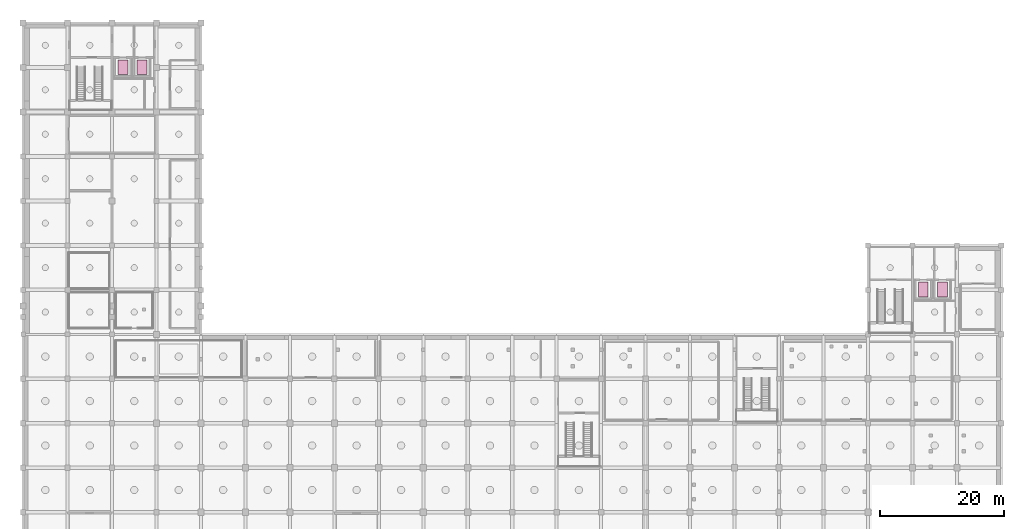
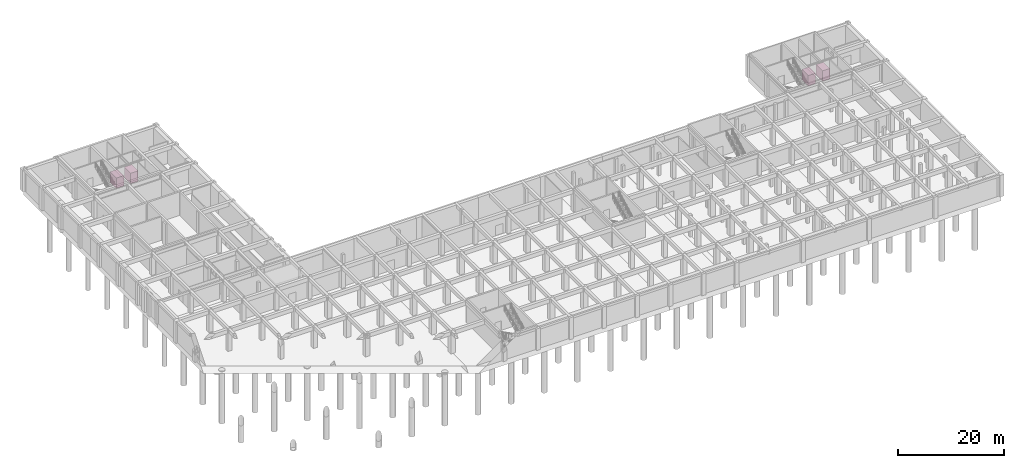
# One storey, part 15 of 15: 4 transport elements.
"""IFC4 building model written with IfcOpenShell, lengths in metres."""

from ifc_helpers import new_model, si_unit, direction, frame, origin, origin_2d, place, context, subcontext, project, spatial, rectangle, extrude, material, type_object, element, save


model = new_model("IFC4")

# Units and contexts
model_context = context("Model", 3, precision=1e-05, world=origin(), true_north=direction((0.0, 1.0)))
body_context = subcontext(model_context, "Body", "Model", "MODEL_VIEW")
ifc_project = project(units=[si_unit("LENGTHUNIT", "METRE"), si_unit("AREAUNIT", "SQUARE_METRE"), si_unit("VOLUMEUNIT", "CUBIC_METRE"), si_unit("PLANEANGLEUNIT", "RADIAN"), si_unit("MASSUNIT", "GRAM", prefix="KILO")], contexts=[model_context])

# Site, building, storey
site_placement = place(None, origin())
site = spatial("IfcSite", under=ifc_project, at=site_placement, CompositionType="ELEMENT")
building_placement = place(site_placement, origin())
building = spatial("IfcBuilding", under=site, at=building_placement, Name="Leyfeld Transit Interchange", CompositionType="ELEMENT")
storey_placement = place(building_placement, frame((0.0, 0.0, -10.800048828125)))
storey = spatial("IfcBuildingStorey", under=building, at=storey_placement, Name="B02", CompositionType="ELEMENT", Elevation=-10.800048828125)

# Transport elements
ifc_material = material(Name="Stainless steel EN 1.4404", Category="steel")
transport_element_type_1 = type_object("IfcTransportElementType", Name="LFT-FFL-1600x2400", PredefinedType="ELEVATOR", material=ifc_material)
for number, where, z_axis, x_axis, name in (
    (1, (16.14990234375, 100.85009765625, 0.0), (0.0, 0.0, 1.0), (1.0, 0.0, 0.0), "Elevator FFL-1"),
    (2, (145.75, 64.85009765625, 0.0), (0.0, 0.0, 1.0), (1.0, 0.0, 0.0), "Elevator FFL-2"),
):
    element("IfcTransportElement", number, at=place(storey_placement, frame(where, z_axis=z_axis, x_axis=x_axis)), inside=storey, type_object=transport_element_type_1, Name=name, PredefinedType="ELEVATOR", context=body_context, shape_type="SweptSolid", body=[
        extrude(rectangle(XDim=1.60009765625, YDim=2.39990234375, at=origin_2d()), origin(), (0.0, 0.0, 1.0), 2.39990234375),
    ])
transport_element_type_2 = type_object("IfcTransportElementType", Name="LFT-PAS-1600x2400", PredefinedType="ELEVATOR", material=ifc_material)
for number, where, z_axis, x_axis, name in (
    (3, (19.25, 100.85009765625, 0.0), (0.0, 0.0, 1.0), (1.0, 0.0, 0.0), "Elevator PL-1"),
    (4, (148.85009765625, 64.85009765625, 0.0), (0.0, 0.0, 1.0), (1.0, 0.0, 0.0), "Elevator PL-4"),
):
    element("IfcTransportElement", number, at=place(storey_placement, frame(where, z_axis=z_axis, x_axis=x_axis)), inside=storey, type_object=transport_element_type_2, Name=name, PredefinedType="ELEVATOR", context=body_context, shape_type="SweptSolid", body=[
        extrude(rectangle(XDim=1.60009765625, YDim=2.39990234375, at=origin_2d()), origin(), (0.0, 0.0, 1.0), 2.39990234375),
    ])

save(model, "model.ifc")
